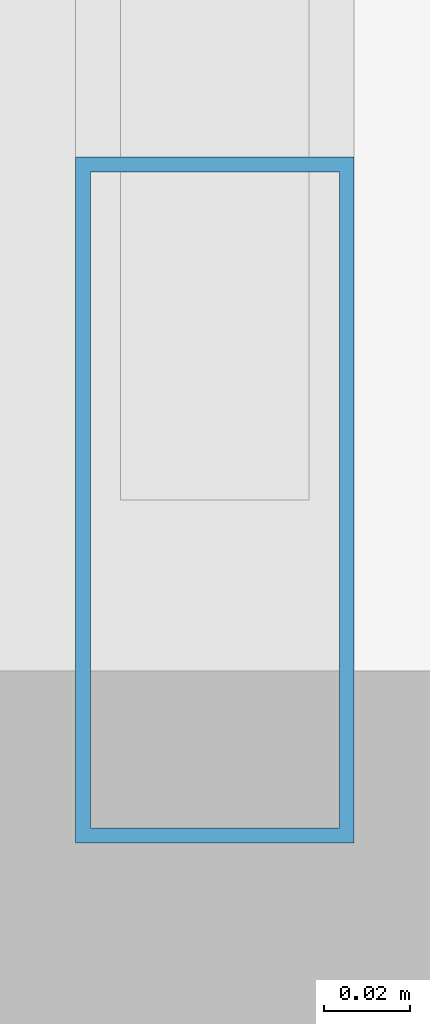
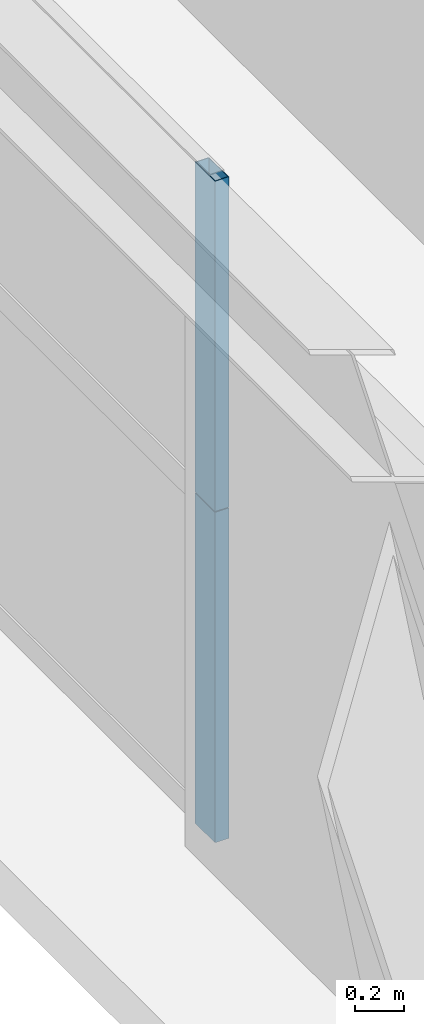
# One storey, part 5 of 33: 2 members, 1 element without a shape of its own.
"""IFC4 building model written with IfcOpenShell, lengths in metres."""

from ifc_helpers import new_model, si_unit, direction, frame, origin, origin_2d, place, context, subcontext, project, spatial, hollow_rectangle, extrude, source, transform, mapped, material, layer, layer_set, material_profile, profile_set, type_object, element, aggregate, save


model = new_model("IFC4")

# Units and contexts
model_context = context("Model", 3, precision=1e-05, world=origin(), true_north=direction((0.0, 1.0)))
body_context = subcontext(model_context, "Body", "Model", "MODEL_VIEW")
ifc_project = project(units=[si_unit("LENGTHUNIT", "METRE"), si_unit("AREAUNIT", "SQUARE_METRE"), si_unit("VOLUMEUNIT", "CUBIC_METRE"), si_unit("PLANEANGLEUNIT", "RADIAN"), si_unit("MASSUNIT", "GRAM", prefix="KILO"), si_unit("THERMODYNAMICTEMPERATUREUNIT", "KELVIN"), si_unit("POWERUNIT", "WATT")], contexts=[model_context])

# Site, building, storey
site_placement = place(None, origin())
site = spatial("IfcSite", under=ifc_project, at=site_placement, CompositionType="ELEMENT")
building_placement = place(site_placement, origin())
building = spatial("IfcBuilding", under=site, at=building_placement, Name="Yuzanri Waterfront Tower", CompositionType="ELEMENT")
storey_placement = place(building_placement, frame((0.0, 0.0, 234.60009765625)))
storey = spatial("IfcBuildingStorey", under=building, at=storey_placement, Name="L62", CompositionType="ELEMENT", Elevation=234.60009765625)

# Curtain wall, members
ifc_material_1 = material(Name="Anodized Architectural Bronze", Category="metal")
ifc_layer = layer(ifc_material_1, 0.159912109375)
ifc_layer_set = layer_set([ifc_layer], Name="Anodized Architectural Bronze")
curtain_wall_type = type_object("IfcCurtainWallType", Name="Anodized Bronze Mid-Rise Residential Acoustic Unitized Curtain Wall 7200", PredefinedType="NOTDEFINED", material=ifc_layer_set)
curtain_wall_placement = place(storey_placement, origin())
curtain_wall = element("IfcCurtainWall", 1, at=curtain_wall_placement, inside=storey, type_object=curtain_wall_type, Name="L62 Curtain Wall CW-L62-WL1", PredefinedType="NOTDEFINED")
ifc_material_2 = material(Name="Anodized Architectural Bronze", Category="metal")
ifc_material_profile = material_profile(ifc_material_2, hollow_rectangle(XDim=0.06494140625, YDim=0.159912109375, WallThickness=0.00341796875, at=origin_2d()), Name="CWM 65x160")
ifc_profile_set = profile_set([ifc_material_profile], Name="Anodized Architectural Bronze")
member_type = type_object("IfcMemberType", Name="Anodized Bronze Upper-Zone Curtain-Wall Mullion 65x160", PredefinedType="MULLION", material=ifc_profile_set)
shared_shape = source(origin(), body_context, "Body", "SweptSolid", [
    extrude(hollow_rectangle(XDim=0.06494140625, YDim=0.159912109375, WallThickness=0.00341796875, at=origin_2d()), origin(), (0.0, 0.0, 1.0), 1.637939453125),
])
member_1_placement = place(storey_placement, frame((16.550048828125, 12.590087890625, 0.0), z_axis=(0.0, 0.0, 1.0), x_axis=(1.0, 0.0, 0.0)))
member_1 = element("IfcMember", 2, at=member_1_placement, type_object=member_type, Name="CW-L62-WL1 Lower Mullion 00", PredefinedType="MULLION", context=body_context, shape_type="MappedRepresentation", body=[
    mapped(shared_shape, transform((0.0, 0.0, 0.0), scale=1.0)),
])
member_2_placement = place(storey_placement, frame((16.550048828125, 12.590087890625, 1.641845703125), z_axis=(0.0, 0.0, 1.0), x_axis=(1.0, 0.0, 0.0)))
member_2 = element("IfcMember", 3, at=member_2_placement, type_object=member_type, Name="CW-L62-WL1 Upper Mullion 00", PredefinedType="MULLION", context=body_context, shape_type="MappedRepresentation", body=[
    mapped(shared_shape, transform((0.0, 0.0, 0.0), scale=1.0)),
])
aggregate(curtain_wall, [member_1, member_2])

save(model, "model.ifc")
